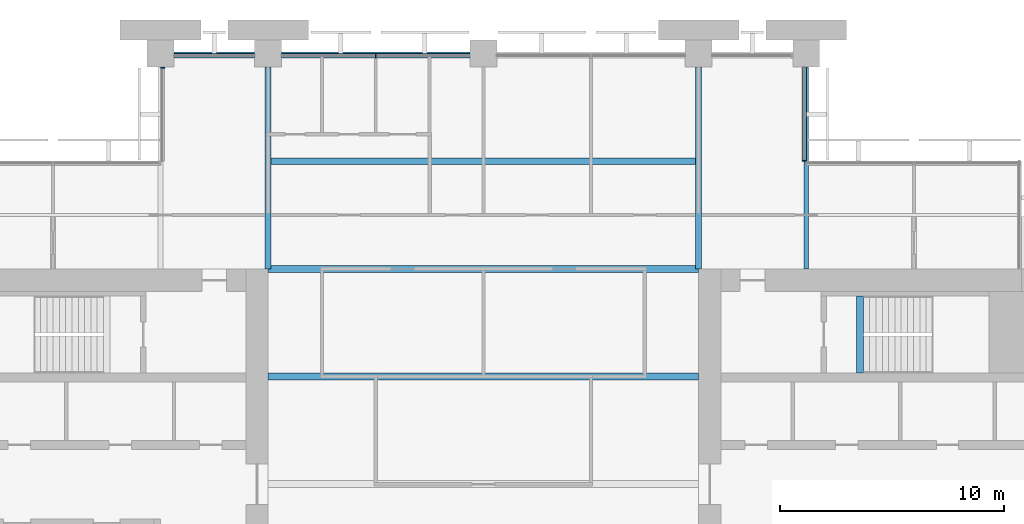
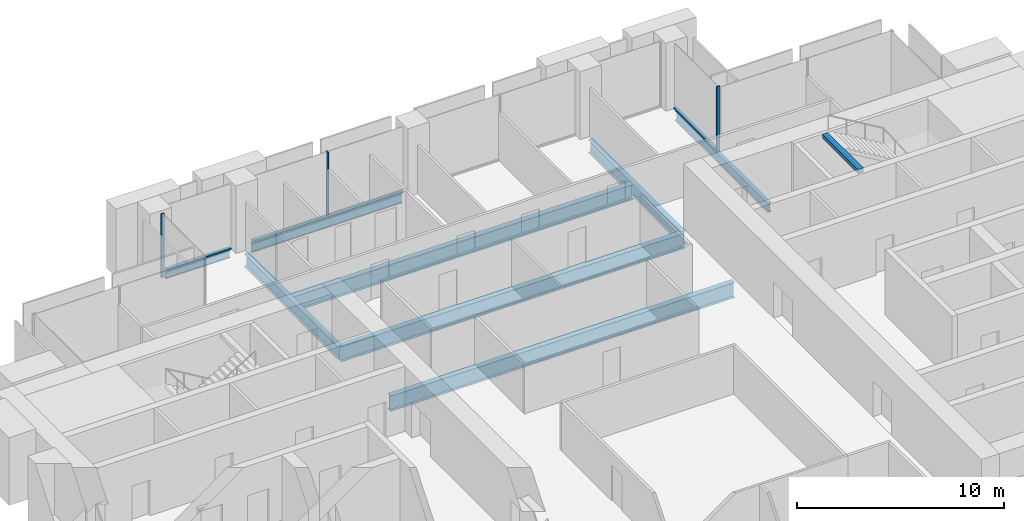
# One storey, part 6 of 14: 9 beams, 6 members, 3 elements without a shape of their own.
"""IFC4 building model written with IfcOpenShell, lengths in metres."""

from ifc_helpers import new_model, si_unit, direction, frame, origin, origin_2d, place, context, subcontext, project, spatial, rectangle, i_section, extrude, material, material_profile, profile_set, type_object, element, aggregate, save


model = new_model("IFC4")

# Units and contexts
model_context = context("Model", 3, precision=1e-05, world=origin(), true_north=direction((0.0, 1.0)))
body_context = subcontext(model_context, "Body", "Model", "MODEL_VIEW")
ifc_project = project(units=[si_unit("LENGTHUNIT", "METRE"), si_unit("AREAUNIT", "SQUARE_METRE"), si_unit("VOLUMEUNIT", "CUBIC_METRE"), si_unit("PLANEANGLEUNIT", "RADIAN"), si_unit("MASSUNIT", "GRAM", prefix="KILO")], contexts=[model_context])

# Site, building, storey
site_placement = place(None, origin())
site = spatial("IfcSite", under=ifc_project, at=site_placement, CompositionType="ELEMENT")
building_placement = place(site_placement, origin())
building = spatial("IfcBuilding", under=site, at=building_placement, Name="Baori Bourse Tower", CompositionType="ELEMENT")
storey_placement = place(building_placement, frame((0.0, 0.0, 136.10009765625)))
storey = spatial("IfcBuildingStorey", under=building, at=storey_placement, Name="L29", CompositionType="ELEMENT", Elevation=136.10009765625)

# Curtain wall, members
ifc_material_1 = material(Name="Pale anodised aluminium", Category="aluminium")
curtain_wall_type_1 = type_object("IfcCurtainWallType", Name="CW1 Curtain wall", PredefinedType="NOTDEFINED", material=ifc_material_1)
curtain_wall_1_placement = place(storey_placement, origin())
curtain_wall_1 = element("IfcCurtainWall", 1, at=curtain_wall_1_placement, inside=storey, type_object=curtain_wall_type_1, Name="Curtain wall CW1 L29 4", PredefinedType="NOTDEFINED")
ifc_material_2 = material(Name="Pale anodised aluminium", Category="aluminium")
ifc_material_profile_1 = material_profile(ifc_material_2, rectangle(XDim=0.199951171875, YDim=0.06005859375, at=origin_2d()), Name="Mullion 60x200")
ifc_profile_set_1 = profile_set([ifc_material_profile_1], Name="Pale anodised aluminium")
member_type_1 = type_object("IfcMemberType", Name="CW1 Curtain wall mullion", PredefinedType="MULLION", material=ifc_profile_set_1)
member_1_placement = place(storey_placement, frame((24.0, 47.89990234375, 0.079833984375), z_axis=(0.0, 0.0, 1.0), x_axis=(0.0, -1.0, 0.0)))
member_1 = element("IfcMember", 2, at=member_1_placement, type_object=member_type_1, Name="Curtain wall CW1 mullion", PredefinedType="MULLION", context=body_context, shape_type="SweptSolid", body=[
    extrude(rectangle(XDim=0.199951171875, YDim=0.06005859375, at=origin_2d()), origin(), (0.0, 0.0, 1.0), 3.760009765625),
])
ifc_material_3 = material(Name="Pale anodised aluminium", Category="aluminium")
ifc_material_profile_2 = material_profile(ifc_material_3, rectangle(XDim=0.199951171875, YDim=0.080078125, at=origin_2d()), Name="Transom 80x200")
ifc_profile_set_2 = profile_set([ifc_material_profile_2], Name="Pale anodised aluminium")
member_type_2 = type_object("IfcMemberType", Name="CW1 Curtain wall transom", PredefinedType="USERDEFINED", material=ifc_profile_set_2)
member_2_placement = place(storey_placement, frame((28.199951171875, 47.89990234375, 0.039794921875), z_axis=(-1.0, 0.0, 0.0), x_axis=(0.0, -1.0, 0.0)))
member_2 = element("IfcMember", 3, at=member_2_placement, type_object=member_type_2, Name="Curtain wall CW1 sill rail", ObjectType="TRANSOM", PredefinedType="USERDEFINED", context=body_context, shape_type="SweptSolid", body=[
    extrude(rectangle(XDim=0.199951171875, YDim=0.080078125, at=origin_2d()), origin(), (0.0, 0.0, 1.0), 8.39990234375),
])
member_3_placement = place(storey_placement, frame((18.60009765625, 47.89990234375, 0.039794921875), z_axis=(-1.0, 0.0, 0.0), x_axis=(0.0, -1.0, 0.0)))
member_3 = element("IfcMember", 4, at=member_3_placement, type_object=member_type_2, Name="Curtain wall CW1 sill rail", ObjectType="TRANSOM", PredefinedType="USERDEFINED", context=body_context, shape_type="SweptSolid", body=[
    extrude(rectangle(XDim=0.199951171875, YDim=0.080078125, at=origin_2d()), origin(), (0.0, 0.0, 1.0), 3.60009765625),
])
aggregate(curtain_wall_1, [member_2, member_1, member_3])

# Curtain wall, member
ifc_material_4 = material(Name="Pale anodised aluminium", Category="aluminium")
curtain_wall_type_2 = type_object("IfcCurtainWallType", Name="CW2 Curtain wall", PredefinedType="NOTDEFINED", material=ifc_material_4)
curtain_wall_2_placement = place(storey_placement, origin())
curtain_wall_2 = element("IfcCurtainWall", 5, at=curtain_wall_2_placement, inside=storey, type_object=curtain_wall_type_2, Name="Curtain wall CW2 L29 3", PredefinedType="NOTDEFINED")
ifc_material_5 = material(Name="Pale anodised aluminium", Category="aluminium")
ifc_material_profile_3 = material_profile(ifc_material_5, rectangle(XDim=0.179931640625, YDim=0.054931640625, at=origin_2d()), Name="Mullion 55x180")
ifc_profile_set_3 = profile_set([ifc_material_profile_3], Name="Pale anodised aluminium")
member_type_3 = type_object("IfcMemberType", Name="CW2 Curtain wall mullion", PredefinedType="MULLION", material=ifc_profile_set_3)
member_4_placement = place(storey_placement, frame((43.110107421875, 43.2275390625, 0.06982421875), z_axis=(0.0, 0.0, 1.0), x_axis=(-1.0, 0.0, 0.0)))
member_4 = element("IfcMember", 6, at=member_4_placement, type_object=member_type_3, Name="Curtain wall CW2 mullion", PredefinedType="MULLION", context=body_context, shape_type="SweptSolid", body=[
    extrude(rectangle(XDim=0.179931640625, YDim=0.054931640625, at=origin_2d()), origin(), (0.0, 0.0, 1.0), 3.77001953125),
])

curtain_wall_3_placement = place(storey_placement, origin())
curtain_wall_3 = element("IfcCurtainWall", 7, at=curtain_wall_3_placement, inside=storey, type_object=curtain_wall_type_2, Name="Curtain wall CW2 L29 5", PredefinedType="NOTDEFINED")
member_5_placement = place(storey_placement, frame((14.489990234375, 47.37255859375, 0.06982421875), z_axis=(0.0, 0.0, 1.0), x_axis=(1.0, 0.0, 0.0)))
member_5 = element("IfcMember", 8, at=member_5_placement, type_object=member_type_3, Name="Curtain wall CW2 mullion", PredefinedType="MULLION", context=body_context, shape_type="SweptSolid", body=[
    extrude(rectangle(XDim=0.179931640625, YDim=0.054931640625, at=origin_2d()), origin(), (0.0, 0.0, 1.0), 3.77001953125),
])
aggregate(curtain_wall_3, [member_5])

# Member
ifc_material_6 = material(Name="Pale anodised aluminium", Category="aluminium")
ifc_material_profile_4 = material_profile(ifc_material_6, rectangle(XDim=0.179931640625, YDim=0.070068359375, at=origin_2d()), Name="Transom 70x180")
ifc_profile_set_4 = profile_set([ifc_material_profile_4], Name="Pale anodised aluminium")
member_type_4 = type_object("IfcMemberType", Name="CW2 Curtain wall transom", PredefinedType="USERDEFINED", material=ifc_profile_set_4)
member_6_placement = place(storey_placement, frame((43.110107421875, 43.199951171875, 0.034912109375), z_axis=(0.0, 1.0, 0.0), x_axis=(-1.0, 0.0, 0.0)))
member_6 = element("IfcMember", 9, at=member_6_placement, type_object=member_type_4, Name="Curtain wall CW2 sill rail", ObjectType="TRANSOM", PredefinedType="USERDEFINED", context=body_context, shape_type="SweptSolid", body=[
    extrude(rectangle(XDim=0.179931640625, YDim=0.070068359375, at=origin_2d()), origin(), (0.0, 0.0, 1.0), 4.199951171875),
])

aggregate(curtain_wall_2, [member_6, member_4])

# Beams
ifc_material_7 = material(Name="Steel A992 Gr 50", Category="steel")
ifc_material_profile_5 = material_profile(ifc_material_7, i_section(OverallWidth=0.140380859375, OverallDepth=0.40380859375, WebThickness=0.007080078125, FlangeThickness=0.01123046875, at=origin_2d()), Name="W16x31")
ifc_profile_set_5 = profile_set([ifc_material_profile_5], Name="Steel A992 Gr 50")
beam_type_1 = type_object("IfcBeamType", Name="Edge beam W16x31", PredefinedType="BEAM", material=ifc_profile_set_5)
beam_1_placement = place(storey_placement, frame((15.0, 48.0, -0.362060546875), z_axis=(1.0, 0.0, 0.0), x_axis=(0.0, 1.0, 0.0)))
element("IfcBeam", 10, at=beam_1_placement, inside=storey, type_object=beam_type_1, Name="Edge beam L29", PredefinedType="BEAM", context=body_context, shape_type="SweptSolid", body=[
    extrude(i_section(OverallWidth=0.140380859375, OverallDepth=0.40380859375, WebThickness=0.007080078125, FlangeThickness=0.01123046875, at=origin_2d()), origin(), (0.0, 0.0, 1.0), 3.60009765625),
])
ifc_material_8 = material(Name="Steel A992 Gr 50", Category="steel")
ifc_material_profile_6 = material_profile(ifc_material_8, i_section(OverallWidth=0.1650390625, OverallDepth=0.52587890625, WebThickness=0.0087890625, FlangeThickness=0.011474609375, at=origin_2d()), Name="W21x44")
ifc_profile_set_6 = profile_set([ifc_material_profile_6], Name="Steel A992 Gr 50")
beam_type_2 = type_object("IfcBeamType", Name="Edge beam W21x44", PredefinedType="BEAM", material=ifc_profile_set_6)
beam_2_placement = place(storey_placement, frame((19.800048828125, 48.0, -0.423095703125), z_axis=(1.0, 0.0, 0.0), x_axis=(0.0, 1.0, 0.0)))
element("IfcBeam", 11, at=beam_2_placement, inside=storey, type_object=beam_type_2, Name="Edge beam L29", PredefinedType="BEAM", context=body_context, shape_type="SweptSolid", body=[
    extrude(i_section(OverallWidth=0.1650390625, OverallDepth=0.52587890625, WebThickness=0.0087890625, FlangeThickness=0.011474609375, at=origin_2d()), origin(), (0.0, 0.0, 1.0), 8.39990234375),
])
ifc_material_9 = material(Name="Steel A992 Gr 50", Category="steel")
ifc_material_profile_7 = material_profile(ifc_material_9, i_section(OverallWidth=0.21240234375, OverallDepth=0.54345703125, WebThickness=0.01318359375, FlangeThickness=0.021240234375, at=origin_2d()), Name="W21x83")
ifc_profile_set_7 = profile_set([ifc_material_profile_7], Name="Steel A992 Gr 50")
beam_type_3 = type_object("IfcBeamType", Name="Floor beam W21x83", PredefinedType="BEAM", material=ifc_profile_set_7)
beam_3_placement = place(storey_placement, frame((43.199951171875, 38.39990234375, -0.431884765625), z_axis=(0.0, 1.0, 0.0), x_axis=(-1.0, 0.0, 0.0)))
element("IfcBeam", 12, at=beam_3_placement, inside=storey, type_object=beam_type_3, Name="Floor beam L29", PredefinedType="BEAM", context=body_context, shape_type="SweptSolid", body=[
    extrude(i_section(OverallWidth=0.21240234375, OverallDepth=0.54345703125, WebThickness=0.01318359375, FlangeThickness=0.021240234375, at=origin_2d()), origin(), (0.0, 0.0, 1.0), 9.0),
])
ifc_material_10 = material(Name="Steel A992 Gr 50", Category="steel")
ifc_material_profile_8 = material_profile(ifc_material_10, i_section(OverallWidth=0.3046875, OverallDepth=0.904296875, WebThickness=0.01513671875, FlangeThickness=0.02001953125, at=origin_2d()), Name="W36x135")
ifc_profile_set_8 = profile_set([ifc_material_profile_8], Name="Steel A992 Gr 50")
beam_type_4 = type_object("IfcBeamType", Name="Floor beam W36x135", PredefinedType="BEAM", material=ifc_profile_set_8)
for number, where, z_axis, x_axis, name in (
    (13, (19.199951171875, 33.60009765625, -0.6123046875), (1.0, 0.0, 0.0), (0.0, 1.0, 0.0), "Floor beam L29"),
    (14, (19.199951171875, 38.39990234375, -0.6123046875), (1.0, 0.0, 0.0), (0.0, 1.0, 0.0), "Floor beam L29"),
):
    element("IfcBeam", number, at=place(storey_placement, frame(where, z_axis=z_axis, x_axis=x_axis)), inside=storey, type_object=beam_type_4, Name=name, PredefinedType="BEAM", context=body_context, shape_type="SweptSolid", body=[
        extrude(i_section(OverallWidth=0.3046875, OverallDepth=0.904296875, WebThickness=0.01513671875, FlangeThickness=0.02001953125, at=origin_2d()), origin(), (0.0, 0.0, 1.0), 19.199951171875),
    ])
beam_4_placement = place(storey_placement, frame((19.33203125, 43.199951171875, -0.6123046875), z_axis=(1.0, 0.0, 0.0), x_axis=(0.0, 1.0, 0.0)))
element("IfcBeam", 15, at=beam_4_placement, inside=storey, type_object=beam_type_4, Name="Floor beam L29", PredefinedType="BEAM", context=body_context, shape_type="SweptSolid", body=[
    extrude(i_section(OverallWidth=0.3046875, OverallDepth=0.904296875, WebThickness=0.01513671875, FlangeThickness=0.02001953125, at=origin_2d()), origin(), (0.0, 0.0, 1.0), 18.935791015625),
])
ifc_material_11 = material(Name="Steel A992 Gr 50", Category="steel")
ifc_material_profile_9 = material_profile(ifc_material_11, i_section(OverallWidth=0.26416015625, OverallDepth=0.749267578125, WebThickness=0.011962890625, FlangeThickness=0.015380859375, at=origin_2d()), Name="W30x90")
ifc_profile_set_9 = profile_set([ifc_material_profile_9], Name="Steel A992 Gr 50")
beam_type_5 = type_object("IfcBeamType", Name="Girder W30x90", PredefinedType="BEAM", material=ifc_profile_set_9)
for number, where, z_axis, x_axis, name in (
    (16, (19.199951171875, 38.39990234375, -0.53466796875), (0.0, 1.0, 0.0), (-1.0, 0.0, 0.0), "Girder L29"),
    (17, (38.39990234375, 38.39990234375, -0.53466796875), (0.0, 1.0, 0.0), (-1.0, 0.0, 0.0), "Girder L29"),
):
    element("IfcBeam", number, at=place(storey_placement, frame(where, z_axis=z_axis, x_axis=x_axis)), inside=storey, type_object=beam_type_5, Name=name, PredefinedType="BEAM", context=body_context, shape_type="SweptSolid", body=[
        extrude(i_section(OverallWidth=0.26416015625, OverallDepth=0.749267578125, WebThickness=0.011962890625, FlangeThickness=0.015380859375, at=origin_2d()), origin(), (0.0, 0.0, 1.0), 9.0),
    ])
ifc_material_12 = material(Name="Concrete f'c 50 MPa", Category="concrete")
ifc_material_profile_10 = material_profile(ifc_material_12, rectangle(XDim=0.300048828125, YDim=0.25, at=origin_2d()), Name="RC 300x250")
ifc_profile_set_10 = profile_set([ifc_material_profile_10], Name="Concrete f'c 50 MPa")
beam_type_6 = type_object("IfcBeamType", Name="Stair nib beam RC 300x250", PredefinedType="BEAM", material=ifc_profile_set_10)
beam_5_placement = place(storey_placement, frame((45.60009765625, 33.75, 3.71484375), z_axis=(0.0, 1.0, 0.0), x_axis=(-1.0, 0.0, 0.0)))
element("IfcBeam", 18, at=beam_5_placement, inside=storey, type_object=beam_type_6, Name="Stair EB nib beam L30", PredefinedType="BEAM", context=body_context, shape_type="SweptSolid", body=[
    extrude(rectangle(XDim=0.300048828125, YDim=0.25, at=origin_2d()), origin(), (0.0, 0.0, 1.0), 3.449951171875),
])

save(model, "model.ifc")
